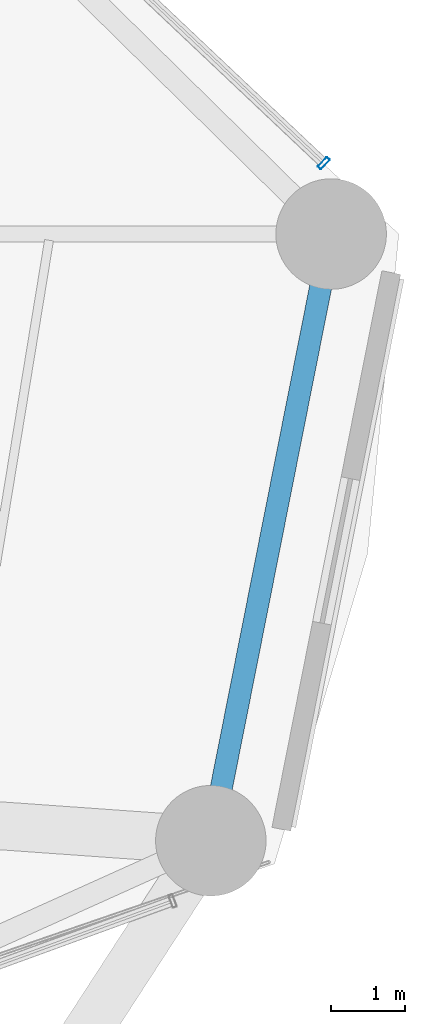
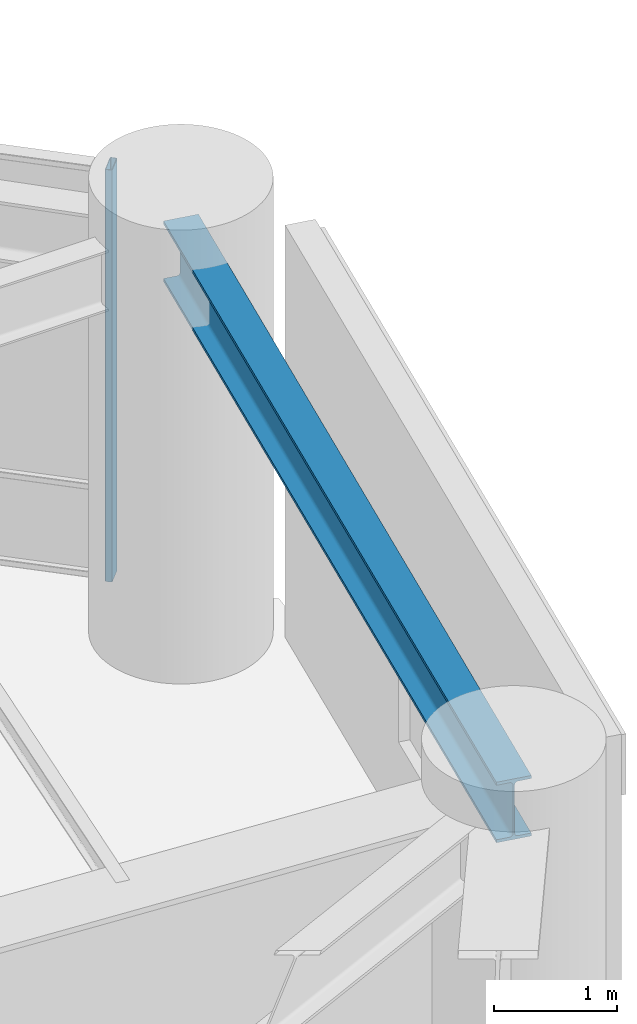
# One storey, part 27 of 53: 1 beam, 1 member, 1 element without a shape of its own.
"""IFC4 building model written with IfcOpenShell, lengths in metres."""

from ifc_helpers import new_model, si_unit, direction, frame, origin, origin_2d, place, context, subcontext, project, spatial, hollow_rectangle, i_section, extrude, material, layer, layer_set, material_profile, profile_set, type_object, element, aggregate, save


model = new_model("IFC4")

# Units and contexts
model_context = context("Model", 3, precision=1e-05, world=origin(), true_north=direction((0.0, 1.0)))
body_context = subcontext(model_context, "Body", "Model", "MODEL_VIEW")
ifc_project = project(units=[si_unit("LENGTHUNIT", "METRE"), si_unit("AREAUNIT", "SQUARE_METRE"), si_unit("VOLUMEUNIT", "CUBIC_METRE"), si_unit("PLANEANGLEUNIT", "RADIAN"), si_unit("MASSUNIT", "GRAM", prefix="KILO")], contexts=[model_context])

# Site, building, storey
site_placement = place(None, origin())
site = spatial("IfcSite", under=ifc_project, at=site_placement, CompositionType="ELEMENT")
building_placement = place(site_placement, origin())
building = spatial("IfcBuilding", under=site, at=building_placement, Name="Kelanora Arch Commons", CompositionType="ELEMENT")
storey_placement = place(building_placement, frame((0.0, 0.0, 9.0)))
storey = spatial("IfcBuildingStorey", under=building, at=storey_placement, Name="L02", CompositionType="ELEMENT", Elevation=9.0)

# Beam
ifc_material_1 = material(Name="Steel S355", Category="steel")
ifc_material_profile_1 = material_profile(ifc_material_1, i_section(OverallWidth=0.300048828125, OverallDepth=0.60009765625, WebThickness=0.015380859375, FlangeThickness=0.030029296875, FilletRadius=0.027099609375, at=origin_2d()), Name="HEB600")
ifc_profile_set_1 = profile_set([ifc_material_profile_1], Name="Steel S355")
beam_type = type_object("IfcBeamType", Name="BM-SPN-Z1", PredefinedType="SPANDREL", material=ifc_profile_set_1)
beam_placement = place(storey_placement, frame((99.447021484375, 49.76416015625, 3.800048828125), z_axis=(0.194499827256, 0.980902552345, 0.0), x_axis=(-0.980902552345, 0.194499827256, 0.0)))
element("IfcBeam", 1, at=beam_placement, inside=storey, type_object=beam_type, Name="Perimeter Spandrel Beam BS-34 L02", PredefinedType="SPANDREL", context=body_context, shape_type="SweptSolid", body=[
    extrude(i_section(OverallWidth=0.300048828125, OverallDepth=0.60009765625, WebThickness=0.015380859375, FlangeThickness=0.030029296875, FilletRadius=0.027099609375, at=origin_2d()), origin(), (0.0, 0.0, 1.0), 8.396240234375),
])

# Curtain wall, member
ifc_material_2 = material(Name="Terracotta ceramic-fritted low-E glass and aluminium", Category="masonry")
ifc_layer = layer(ifc_material_2, 0.2099609375)
ifc_layer_set = layer_set([ifc_layer], Name="Terracotta ceramic-fritted low-E glass and aluminium")
curtain_wall_type = type_object("IfcCurtainWallType", Name="CW-SYS-04", PredefinedType="NOTDEFINED", material=ifc_layer_set)
curtain_wall_placement = place(storey_placement, origin())
curtain_wall = element("IfcCurtainWall", 2, at=curtain_wall_placement, inside=storey, type_object=curtain_wall_type, Name="Unitised Curtain Wall L02-B00", PredefinedType="NOTDEFINED")
ifc_material_3 = material(Name="Powder-coated aluminium terracotta", Category="masonry")
ifc_material_profile_2 = material_profile(ifc_material_3, hollow_rectangle(XDim=0.179931640625, YDim=0.06005859375, WallThickness=0.0048828125, InnerFilletRadius=0.0048828125, OuterFilletRadius=0.010009765625, at=origin_2d()), Name="CWM180x60")
ifc_profile_set_2 = profile_set([ifc_material_profile_2], Name="Powder-coated aluminium terracotta")
member_type = type_object("IfcMemberType", Name="CWM-HVY", PredefinedType="MULLION", material=ifc_profile_set_2)
member_placement = place(storey_placement, frame((100.981201171875, 58.96240234375, 0.0), z_axis=(0.0, 0.0, 1.0), x_axis=(-0.686720224308, -0.72692182078, 0.0)))
member = element("IfcMember", 3, at=member_placement, type_object=member_type, Name="CW-04 mullion 1", PredefinedType="MULLION", context=body_context, shape_type="SweptSolid", body=[
    extrude(hollow_rectangle(XDim=0.179931640625, YDim=0.06005859375, WallThickness=0.0048828125, InnerFilletRadius=0.0048828125, OuterFilletRadius=0.010009765625, at=origin_2d()), origin(), (0.0, 0.0, 1.0), 4.0849609375),
])
aggregate(curtain_wall, [member])

save(model, "model.ifc")
